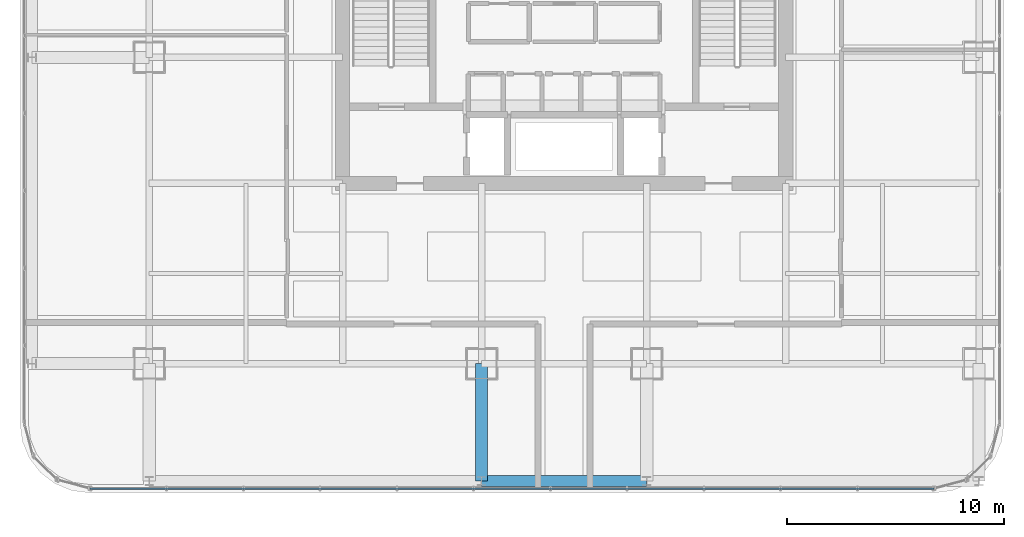
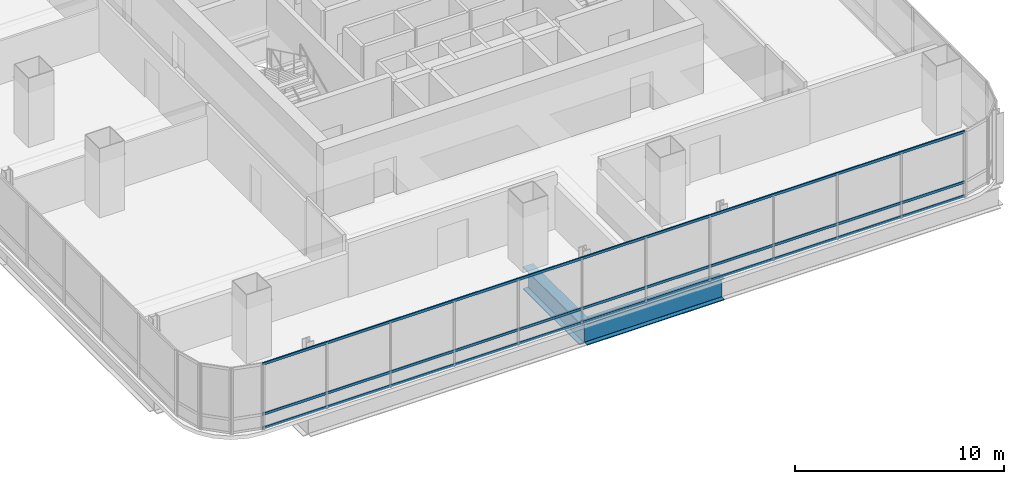
# One storey, part 7 of 36: 3 members, 2 beams, 1 element without a shape of its own.
"""IFC4 building model written with IfcOpenShell, lengths in metres."""

from ifc_helpers import new_model, si_unit, direction, frame, origin, origin_2d, place, context, subcontext, project, spatial, hollow_rectangle, i_section, extrude, material, material_profile, profile_set, type_object, element, aggregate, save


model = new_model("IFC4")

# Units and contexts
model_context = context("Model", 3, precision=1e-05, world=origin(), true_north=direction((0.0, 1.0)))
body_context = subcontext(model_context, "Body", "Model", "MODEL_VIEW")
ifc_project = project(units=[si_unit("LENGTHUNIT", "METRE"), si_unit("AREAUNIT", "SQUARE_METRE"), si_unit("VOLUMEUNIT", "CUBIC_METRE"), si_unit("PLANEANGLEUNIT", "RADIAN"), si_unit("MASSUNIT", "GRAM", prefix="KILO")], contexts=[model_context])

# Site, building, storey
site_placement = place(None, origin())
site = spatial("IfcSite", under=ifc_project, at=site_placement, CompositionType="ELEMENT")
building_placement = place(site_placement, origin())
building = spatial("IfcBuilding", under=site, at=building_placement, Name="Punatoya Terracotta Tower", CompositionType="ELEMENT")
storey_placement = place(building_placement, frame((0.0, 0.0, 196.5)))
storey = spatial("IfcBuildingStorey", under=building, at=storey_placement, Name="L46", CompositionType="ELEMENT", Elevation=196.5)

# Beams
ifc_material_1 = material(Name="Steel S460", Category="steel")
ifc_material_profile_1 = material_profile(ifc_material_1, i_section(OverallWidth=0.56005859375, OverallDepth=1.320068359375, WebThickness=0.035888671875, FlangeThickness=0.054931640625, FilletRadius=0.01806640625, at=origin_2d()))
ifc_profile_set_1 = profile_set([ifc_material_profile_1], Name="Steel S460")
beam_type_1 = type_object("IfcBeamType", Name="BM-TG-BLK", PredefinedType="BEAM", material=ifc_profile_set_1)
beam_1_placement = place(storey_placement, frame((-3.800048828125, -22.89990234375, -0.8798828125), z_axis=(0.0, 1.0, 0.0), x_axis=(-1.0, 0.0, 0.0)))
element("IfcBeam", 1, at=beam_1_placement, inside=storey, type_object=beam_type_1, Name="BM-L46-CANT-S2", PredefinedType="BEAM", context=body_context, shape_type="SweptSolid", body=[
    extrude(i_section(OverallWidth=0.56005859375, OverallDepth=1.320068359375, WebThickness=0.035888671875, FlangeThickness=0.054931640625, FilletRadius=0.01806640625, at=origin_2d()), origin(), (0.0, 0.0, 1.0), 5.39990234375),
])
ifc_material_profile_2 = material_profile(ifc_material_1, i_section(OverallWidth=0.52001953125, OverallDepth=1.280029296875, WebThickness=0.031982421875, FlangeThickness=0.050048828125, FilletRadius=0.01806640625, at=origin_2d()))
ifc_profile_set_2 = profile_set([ifc_material_profile_2], Name="Steel S460")
beam_type_2 = type_object("IfcBeamType", Name="BM-TG-NCK", PredefinedType="BEAM", material=ifc_profile_set_2)
beam_2_placement = place(storey_placement, frame((-3.800048828125, -22.89990234375, -0.860107421875), z_axis=(1.0, 0.0, 0.0), x_axis=(0.0, 1.0, 0.0)))
element("IfcBeam", 2, at=beam_2_placement, inside=storey, type_object=beam_type_2, Name="BM-L46-PER-S2", PredefinedType="BEAM", context=body_context, shape_type="SweptSolid", body=[
    extrude(i_section(OverallWidth=0.52001953125, OverallDepth=1.280029296875, WebThickness=0.031982421875, FlangeThickness=0.050048828125, FilletRadius=0.01806640625, at=origin_2d()), origin(), (0.0, 0.0, 1.0), 7.60009765625),
])

# Curtain wall, members
ifc_material_2 = material(Name="Aluminium 6063-T6 + Double Low-E Glass", Category="aluminium")
curtain_wall_type = type_object("IfcCurtainWallType", Name="CW-M2", PredefinedType="NOTDEFINED", material=ifc_material_2)
curtain_wall_placement = place(storey_placement, origin())
curtain_wall = element("IfcCurtainWall", 3, at=curtain_wall_placement, inside=storey, type_object=curtain_wall_type, Name="L46 Curtain Wall CW-L46-S01-1", PredefinedType="NOTDEFINED")
ifc_material_3 = material(Name="Aluminium 6063-T6", Category="aluminium")
ifc_material_profile_3 = material_profile(ifc_material_3, hollow_rectangle(XDim=0.068115234375, YDim=0.14990234375, WallThickness=0.00390625, at=origin_2d()))
ifc_profile_set_3 = profile_set([ifc_material_profile_3], Name="Aluminium 6063-T6")
member_type = type_object("IfcMemberType", Name="CW-TRN-TYP", PredefinedType="USERDEFINED", material=ifc_profile_set_3)
member_1_placement = place(storey_placement, frame((-21.8369140625, -23.25, 0.0400390625), z_axis=(1.0, 0.0, 0.0), x_axis=(0.0, 1.0, 0.0)))
member_1 = element("IfcMember", 4, at=member_1_placement, type_object=member_type, Name="CW-L46-S01-1 Transom 1", ObjectType="TRANSOM", PredefinedType="USERDEFINED", context=body_context, shape_type="SweptSolid", body=[
    extrude(hollow_rectangle(XDim=0.068115234375, YDim=0.14990234375, WallThickness=0.00390625, at=origin_2d()), origin(), (0.0, 0.0, 1.0), 38.873779296875),
])
member_2_placement = place(storey_placement, frame((-21.8369140625, -23.25, 0.85009765625), z_axis=(1.0, 0.0, 0.0), x_axis=(0.0, 1.0, 0.0)))
member_2 = element("IfcMember", 5, at=member_2_placement, type_object=member_type, Name="CW-L46-S01-1 Transom 2", ObjectType="TRANSOM", PredefinedType="USERDEFINED", context=body_context, shape_type="SweptSolid", body=[
    extrude(hollow_rectangle(XDim=0.068115234375, YDim=0.14990234375, WallThickness=0.00390625, at=origin_2d()), origin(), (0.0, 0.0, 1.0), 38.873779296875),
])
member_3_placement = place(storey_placement, frame((-21.8369140625, -23.25, 3.7900390625), z_axis=(1.0, 0.0, 0.0), x_axis=(0.0, 1.0, 0.0)))
member_3 = element("IfcMember", 6, at=member_3_placement, type_object=member_type, Name="CW-L46-S01-1 Transom 3", ObjectType="TRANSOM", PredefinedType="USERDEFINED", context=body_context, shape_type="SweptSolid", body=[
    extrude(hollow_rectangle(XDim=0.068115234375, YDim=0.14990234375, WallThickness=0.00390625, at=origin_2d()), origin(), (0.0, 0.0, 1.0), 38.873779296875),
])
aggregate(curtain_wall, [member_1, member_2, member_3])

save(model, "model.ifc")
